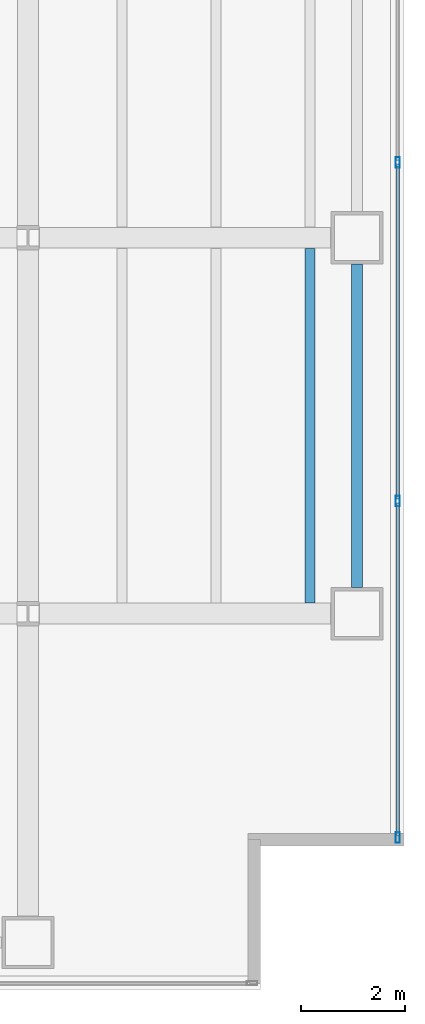
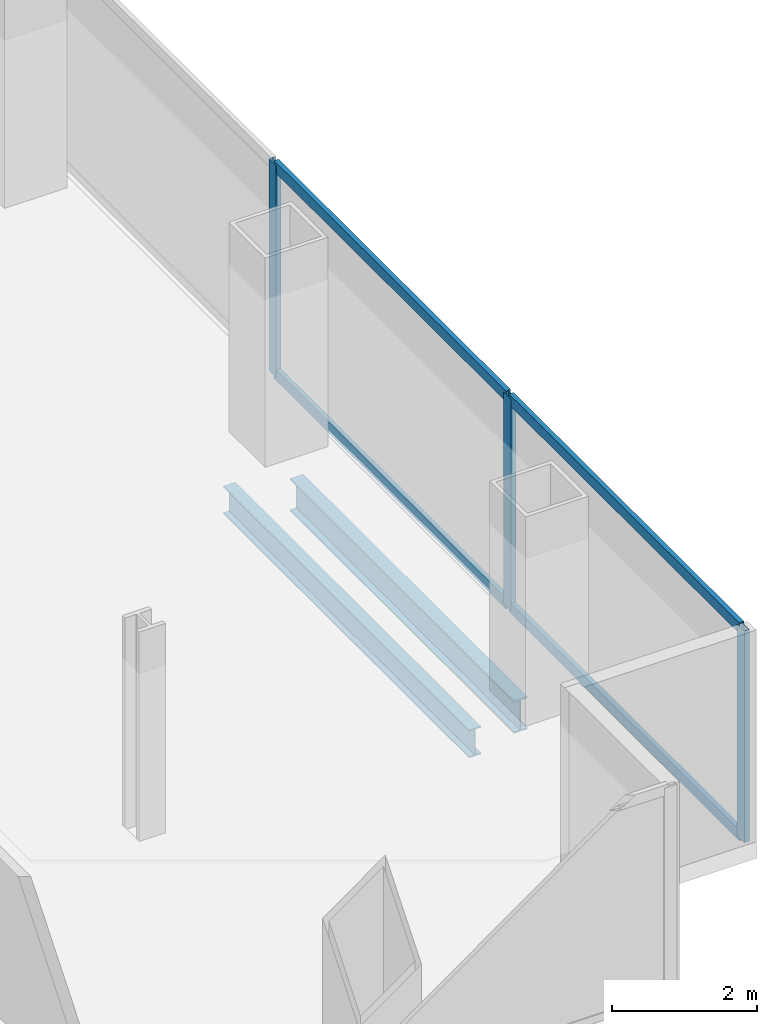
# One storey, part 10 of 24: 7 members, 2 beams, 1 element without a shape of its own.
"""IFC4 building model written with IfcOpenShell, lengths in metres."""

from ifc_helpers import new_model, si_unit, direction, frame, origin, origin_2d, place, context, subcontext, project, spatial, hollow_rectangle, i_section, extrude, material, material_profile, profile_set, type_object, element, aggregate, save


model = new_model("IFC4")

# Units and contexts
model_context = context("Model", 3, precision=1e-05, world=origin(), true_north=direction((0.0, 1.0)))
body_context = subcontext(model_context, "Body", "Model", "MODEL_VIEW")
ifc_project = project(units=[si_unit("LENGTHUNIT", "METRE"), si_unit("AREAUNIT", "SQUARE_METRE"), si_unit("VOLUMEUNIT", "CUBIC_METRE"), si_unit("PLANEANGLEUNIT", "RADIAN"), si_unit("MASSUNIT", "GRAM", prefix="KILO")], contexts=[model_context])

# Site, building, storey
site_placement = place(None, origin())
site = spatial("IfcSite", under=ifc_project, at=site_placement, CompositionType="ELEMENT")
building_placement = place(site_placement, origin())
building = spatial("IfcBuilding", under=site, at=building_placement, Name="Cobrela Telecom Tower", CompositionType="ELEMENT")
storey_placement = place(building_placement, frame((0.0, 0.0, 69.64990234375)))
storey = spatial("IfcBuildingStorey", under=building, at=storey_placement, Name="L17", CompositionType="ELEMENT", Elevation=69.64990234375)

# Beams
ifc_material_1 = material(Name="Steel ASTM A992 Grade 50", Category="steel")
ifc_material_profile_1 = material_profile(ifc_material_1, i_section(OverallWidth=0.193115234375, OverallDepth=0.467041015625, WebThickness=0.011474609375, FlangeThickness=0.01904296875, FilletRadius=0.012939453125, at=origin_2d()), Name="W18X65")
ifc_profile_set_1 = profile_set([ifc_material_profile_1], Name="Steel ASTM A992 Grade 50")
beam_type_1 = type_object("IfcBeamType", Name="BM-JOIST-03", PredefinedType="JOIST", material=ifc_profile_set_1)
beam_1_placement = place(storey_placement, frame((48.60009765625, 7.404541015625, -0.513427734375), z_axis=(0.0, 1.0, 0.0), x_axis=(-1.0, 0.0, 0.0)))
element("IfcBeam", 1, at=beam_1_placement, inside=storey, type_object=beam_type_1, Name="L17 Secondary Composite Floor Beam J63", PredefinedType="JOIST", context=body_context, shape_type="SweptSolid", body=[
    extrude(i_section(OverallWidth=0.193115234375, OverallDepth=0.467041015625, WebThickness=0.011474609375, FlangeThickness=0.01904296875, FilletRadius=0.012939453125, at=origin_2d()), origin(), (0.0, 0.0, 1.0), 6.791015625),
])
ifc_material_profile_2 = material_profile(ifc_material_1, i_section(OverallWidth=0.212890625, OverallDepth=0.549072265625, WebThickness=0.0146484375, FlangeThickness=0.023681640625, FilletRadius=0.013916015625, at=origin_2d()), Name="W21X93")
ifc_profile_set_2 = profile_set([ifc_material_profile_2], Name="Steel ASTM A992 Grade 50")
beam_type_2 = type_object("IfcBeamType", Name="BM-SPAND-03", PredefinedType="SPANDREL", material=ifc_profile_set_2)
beam_2_placement = place(storey_placement, frame((49.5, 7.705078125, -0.554443359375), z_axis=(0.0, 1.0, 0.0), x_axis=(-1.0, 0.0, 0.0)))
element("IfcBeam", 2, at=beam_2_placement, inside=storey, type_object=beam_type_2, Name="L17 Perimeter Spandrel Y56", PredefinedType="SPANDREL", context=body_context, shape_type="SweptSolid", body=[
    extrude(i_section(OverallWidth=0.212890625, OverallDepth=0.549072265625, WebThickness=0.0146484375, FlangeThickness=0.023681640625, FilletRadius=0.013916015625, at=origin_2d()), origin(), (0.0, 0.0, 1.0), 6.18994140625),
])

# Curtain wall, members
ifc_material_2 = material(Name="Anodized Bronze Aluminium 6063-T6", Category="aluminium")
curtain_wall_type = type_object("IfcCurtainWallType", Name="CW-SYS-DATA", PredefinedType="USERDEFINED", material=ifc_material_2)
curtain_wall_placement = place(storey_placement, origin())
curtain_wall = element("IfcCurtainWall", 3, at=curtain_wall_placement, inside=storey, type_object=curtain_wall_type, Name="L17 Unitised Bronze Curtain Wall 14", ObjectType="UNITISED CURTAIN WALL", PredefinedType="USERDEFINED")
ifc_material_profile_3 = material_profile(ifc_material_2, hollow_rectangle(XDim=0.080078125, YDim=0.199951171875, WallThickness=0.00390625, at=origin_2d()), Name="ALU 80x200x4")
ifc_profile_set_3 = profile_set([ifc_material_profile_3], Name="Anodized Bronze Aluminium 6063-T6")
member_type_1 = type_object("IfcMemberType", Name="CW-SYS-DATA-MUL", PredefinedType="MULLION", material=ifc_profile_set_3)
member_1_placement = place(storey_placement, frame((50.280029296875, 15.84326171875, 0.0), z_axis=(0.0, 0.0, 1.0), x_axis=(1.0, 0.0, 0.0)))
member_1 = element("IfcMember", 4, at=member_1_placement, type_object=member_type_1, Name="CW-DATA mullion 2", PredefinedType="MULLION", context=body_context, shape_type="SweptSolid", body=[
    extrude(hollow_rectangle(XDim=0.080078125, YDim=0.199951171875, WallThickness=0.00390625, at=origin_2d()), origin(), (0.0, 0.0, 1.0), 3.570068359375),
])
member_2_placement = place(storey_placement, frame((50.280029296875, 9.356689453125, 0.0), z_axis=(0.0, 0.0, 1.0), x_axis=(1.0, 0.0, 0.0)))
member_2 = element("IfcMember", 5, at=member_2_placement, type_object=member_type_1, Name="CW-DATA mullion 3", PredefinedType="MULLION", context=body_context, shape_type="SweptSolid", body=[
    extrude(hollow_rectangle(XDim=0.080078125, YDim=0.199951171875, WallThickness=0.00390625, at=origin_2d()), origin(), (0.0, 0.0, 1.0), 3.570068359375),
])
member_3_placement = place(storey_placement, frame((50.280029296875, 2.909912109375, 0.0), z_axis=(0.0, 0.0, 1.0), x_axis=(1.0, 0.0, 0.0)))
member_3 = element("IfcMember", 6, at=member_3_placement, type_object=member_type_1, Name="CW-DATA mullion 4", PredefinedType="MULLION", context=body_context, shape_type="SweptSolid", body=[
    extrude(hollow_rectangle(XDim=0.080078125, YDim=0.199951171875, WallThickness=0.00390625, at=origin_2d()), origin(), (0.0, 0.0, 1.0), 3.570068359375),
])
ifc_material_profile_4 = material_profile(ifc_material_2, hollow_rectangle(XDim=0.074951171875, YDim=0.179931640625, WallThickness=0.00390625, at=origin_2d()), Name="ALU 75x180x4")
ifc_profile_set_4 = profile_set([ifc_material_profile_4], Name="Anodized Bronze Aluminium 6063-T6")
member_type_2 = type_object("IfcMemberType", Name="CW-SYS-DATA-TRN", PredefinedType="USERDEFINED", material=ifc_profile_set_4)
member_4_placement = place(storey_placement, frame((50.280029296875, 15.80322265625, 0.03759765625), z_axis=(0.0, -1.0, 0.0), x_axis=(1.0, 0.0, 0.0)))
member_4 = element("IfcMember", 7, at=member_4_placement, type_object=member_type_2, Name="CW-DATA transom 2.1", ObjectType="TRANSOM", PredefinedType="USERDEFINED", context=body_context, shape_type="SweptSolid", body=[
    extrude(hollow_rectangle(XDim=0.074951171875, YDim=0.179931640625, WallThickness=0.00390625, at=origin_2d()), origin(), (0.0, 0.0, 1.0), 6.406494140625),
])
member_5_placement = place(storey_placement, frame((50.280029296875, 15.80322265625, 3.53271484375), z_axis=(0.0, -1.0, 0.0), x_axis=(1.0, 0.0, 0.0)))
member_5 = element("IfcMember", 8, at=member_5_placement, type_object=member_type_2, Name="CW-DATA transom 2.2", ObjectType="TRANSOM", PredefinedType="USERDEFINED", context=body_context, shape_type="SweptSolid", body=[
    extrude(hollow_rectangle(XDim=0.074951171875, YDim=0.179931640625, WallThickness=0.00390625, at=origin_2d()), origin(), (0.0, 0.0, 1.0), 6.406494140625),
])
member_6_placement = place(storey_placement, frame((50.280029296875, 9.316650390625, 0.03759765625), z_axis=(0.0, -1.0, 0.0), x_axis=(1.0, 0.0, 0.0)))
member_6 = element("IfcMember", 9, at=member_6_placement, type_object=member_type_2, Name="CW-DATA transom 3.1", ObjectType="TRANSOM", PredefinedType="USERDEFINED", context=body_context, shape_type="SweptSolid", body=[
    extrude(hollow_rectangle(XDim=0.074951171875, YDim=0.179931640625, WallThickness=0.00390625, at=origin_2d()), origin(), (0.0, 0.0, 1.0), 6.36669921875),
])
member_7_placement = place(storey_placement, frame((50.280029296875, 9.316650390625, 3.53271484375), z_axis=(0.0, -1.0, 0.0), x_axis=(1.0, 0.0, 0.0)))
member_7 = element("IfcMember", 10, at=member_7_placement, type_object=member_type_2, Name="CW-DATA transom 3.2", ObjectType="TRANSOM", PredefinedType="USERDEFINED", context=body_context, shape_type="SweptSolid", body=[
    extrude(hollow_rectangle(XDim=0.074951171875, YDim=0.179931640625, WallThickness=0.00390625, at=origin_2d()), origin(), (0.0, 0.0, 1.0), 6.36669921875),
])
aggregate(curtain_wall, [member_1, member_2, member_3, member_4, member_5, member_6, member_7])

save(model, "model.ifc")
